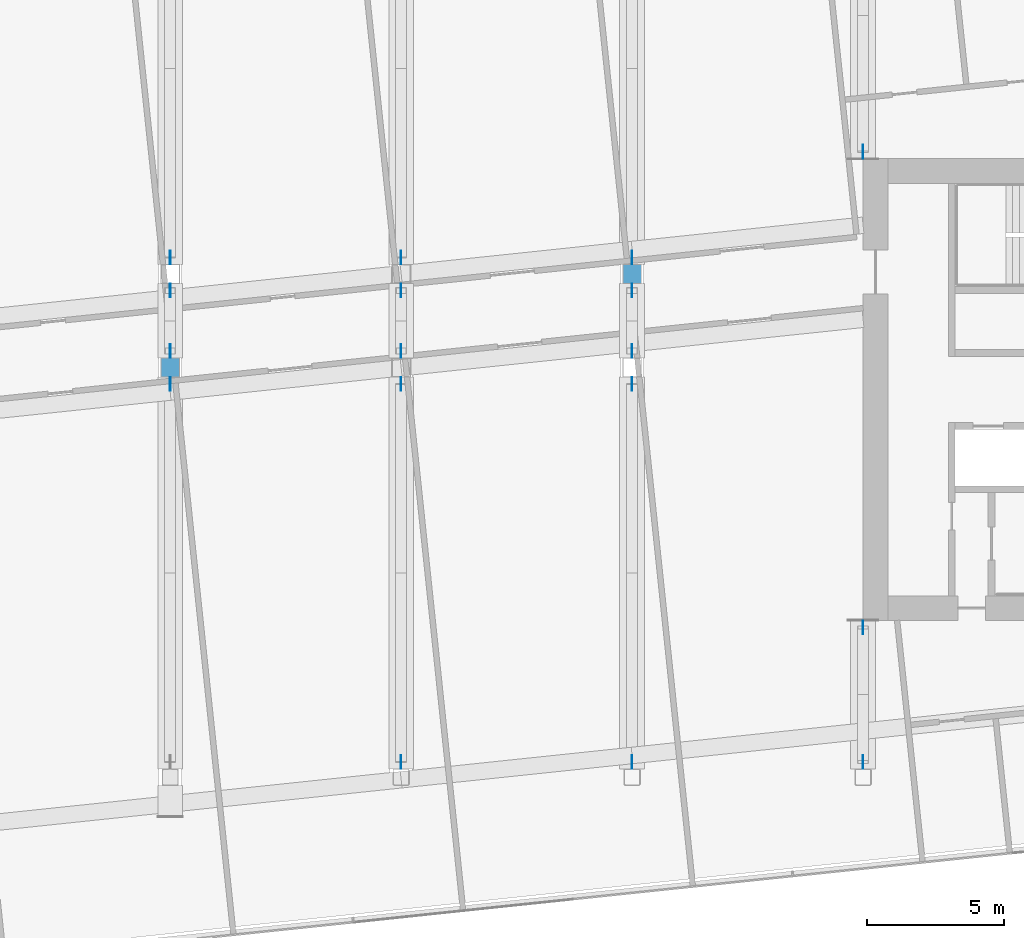
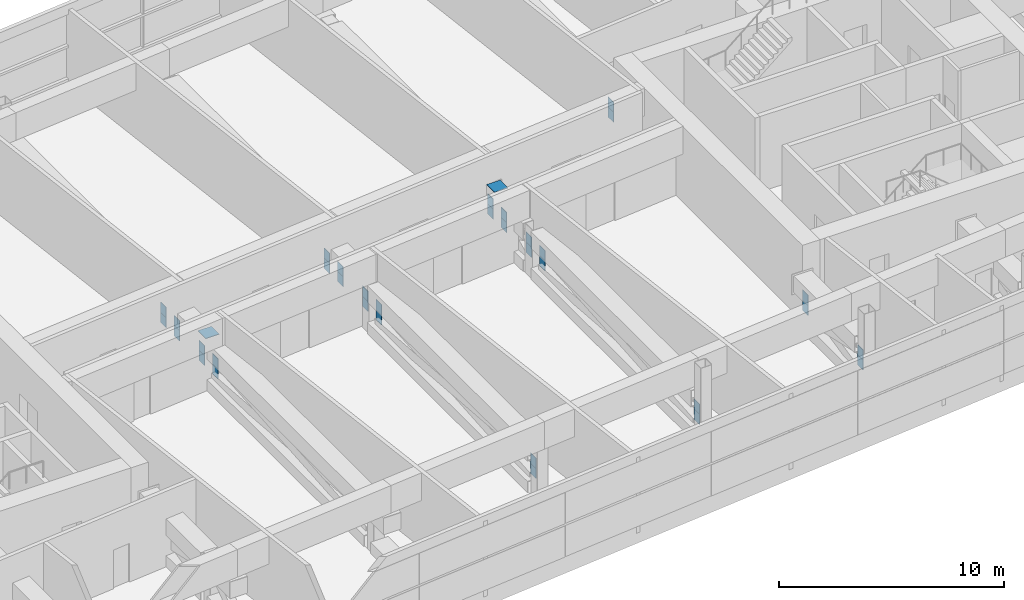
# One storey, part 25 of 33: 36 discrete accessories.
"""IFC4 building model written with IfcOpenShell, lengths in metres."""

import ifcopenshell
import ifcopenshell.guid

model = None  # the IFC model being written
_history = None  # IfcOwnerHistory: only IFC2X3 demands one
_inside = {}  # id of a spatial element -> (the spatial element, [elements in it])
_under = {}  # id of a project, library or spatial element -> (it, [spatial elements below it])
_declared = {}  # id of a project -> (the project, [libraries it declares])
_typed = {}  # id of a type object -> (the type object, [elements of that type])
_made_of = {}  # id of a material, layer set ... -> (it, [elements and type objects made of it])


def new_model(schema):
    """Start an empty IFC model of exactly this schema.

    Asked for "IFC4X3", IfcOpenShell would pick the latest addendum, in which some entities
    have other attributes; the version numbers below select the first issue.
    IFC2X3 requires an IfcOwnerHistory on every rooted entity: one is made here for all.
    """
    global model, _history
    if schema == "IFC4X3":
        model = ifcopenshell.file(schema_version=(4, 3, 0, 0))
    else:
        model = ifcopenshell.file(schema=schema)
    _inside.clear()
    _under.clear()
    _declared.clear()
    _typed.clear()
    _made_of.clear()
    _history = None
    if model.schema == "IFC2X3":
        org = make("IfcOrganization", Name="unknown")
        user = make(
            "IfcPersonAndOrganization",
            ThePerson=make("IfcPerson", FamilyName="unknown"),
            TheOrganization=org,
        )
        app = make(
            "IfcApplication",
            ApplicationDeveloper=org,
            Version="unknown",
            ApplicationFullName="unknown",
            ApplicationIdentifier="unknown",
        )
        _history = make(
            "IfcOwnerHistory",
            OwningUser=user,
            OwningApplication=app,
            ChangeAction="ADDED",
            CreationDate=0,
        )
    return model


def make(cls, **values):
    """One entity of the class cls with the attributes given. An attribute that is None is left unset."""
    return model.create_entity(
        cls, **{name: value for name, value in values.items() if value is not None}
    )


def rooted(cls, **values):
    """An entity with a GlobalId (a new one), such as an element, a storey or a relation."""
    return make(cls, GlobalId=ifcopenshell.guid.new(), OwnerHistory=_history, **values)


def si_unit(unit_type, name, prefix=None):
    """IfcSIUnit, for example si_unit("LENGTHUNIT", "METRE", prefix="MILLI")."""
    return make("IfcSIUnit", UnitType=unit_type, Prefix=prefix, Name=name)


def assignment(units):
    """IfcUnitAssignment: the units of a project."""
    return None if units is None else make("IfcUnitAssignment", Units=units)


def point(xyz):
    """IfcCartesianPoint."""
    return None if xyz is None else make("IfcCartesianPoint", Coordinates=xyz)


def direction(xyz):
    """IfcDirection."""
    return None if xyz is None else make("IfcDirection", DirectionRatios=xyz)


def frame(location, z_axis=None, x_axis=None):
    """IfcAxis2Placement3D, a coordinate frame: its origin and axes. An axis left out is left unset."""
    return make(
        "IfcAxis2Placement3D",
        Location=point(location),
        Axis=direction(z_axis),
        RefDirection=direction(x_axis),
    )


def frame_2d(location, x_axis=None):
    """IfcAxis2Placement2D, a coordinate frame in the plane: its origin and x axis."""
    return make(
        "IfcAxis2Placement2D", Location=point(location), RefDirection=direction(x_axis)
    )


def origin():
    """The frame at (0, 0, 0) with its axes left unset."""
    return frame((0.0, 0.0, 0.0))


def origin_2d():
    """The frame at (0, 0) in the plane with its x axis left unset."""
    return frame_2d((0.0, 0.0))


def place(relative_to, where):
    """IfcLocalPlacement: puts the frame where relative to a parent placement (None: the world)."""
    return make(
        "IfcLocalPlacement", PlacementRelTo=relative_to, RelativePlacement=where
    )


def context(
    kind, dimensions, precision=None, world=None, true_north=None, identifier=None
):
    """IfcGeometricRepresentationContext, for example the 3D "Model" context."""
    return make(
        "IfcGeometricRepresentationContext",
        ContextIdentifier=identifier,
        ContextType=kind,
        CoordinateSpaceDimension=dimensions,
        Precision=precision,
        WorldCoordinateSystem=world,
        TrueNorth=true_north,
    )


def subcontext(parent, identifier, kind, view, scale=None):
    """IfcGeometricRepresentationSubContext, for example "Body" below "Model"."""
    return make(
        "IfcGeometricRepresentationSubContext",
        ContextIdentifier=identifier,
        ContextType=kind,
        ParentContext=parent,
        TargetScale=scale,
        TargetView=view,
    )


def project(units=None, contexts=None):
    """IfcProject with its units and contexts."""
    return rooted(
        "IfcProject",
        Name="project",
        RepresentationContexts=contexts,
        UnitsInContext=assignment(units),
    )


def spatial(cls, under=None, at=None, **own):
    """A site, building, storey or space (cls), placed at a placement, below another one or the project."""
    s = rooted(cls, ObjectPlacement=at, **own)
    if under is not None:
        _under.setdefault(under.id(), (under, []))[1].append(s)
    return s


def profile(cls, at=None, kind="AREA", **sizes):
    """A parametric profile (cls). Its sizes go by their IFC names, for example OverallWidth=200.0."""
    return make(cls, ProfileType=kind, Position=at, **sizes)


def rectangle(**sizes):
    """IfcRectangleProfileDef."""
    return profile("IfcRectangleProfileDef", **sizes)


def extrude(swept, where, along, depth):
    """IfcExtrudedAreaSolid: the profile swept, set in the frame where, extruded along a direction by depth."""
    return make(
        "IfcExtrudedAreaSolid",
        SweptArea=swept,
        Position=where,
        ExtrudedDirection=direction(along),
        Depth=depth,
    )


def shape(context_of_items, identifier, shape_type, items):
    """IfcShapeRepresentation: the items that make up one representation, for example the "Body"."""
    return make(
        "IfcShapeRepresentation",
        ContextOfItems=context_of_items,
        RepresentationIdentifier=identifier,
        RepresentationType=shape_type,
        Items=items,
    )


def material(Name=None, Category=None):
    """IfcMaterial."""
    return make("IfcMaterial", Name=Name, Category=Category)


def material_profile(
    of_material, cross_section, Name=None, Category=None, Priority=None
):
    """IfcMaterialProfile: a cross section and its material."""
    return make(
        "IfcMaterialProfile",
        Name=Name,
        Material=of_material,
        Profile=cross_section,
        Priority=Priority,
        Category=Category,
    )


def profile_set(profiles, Name=None, composite=None):
    """IfcMaterialProfileSet."""
    return make(
        "IfcMaterialProfileSet",
        Name=Name,
        MaterialProfiles=profiles,
        CompositeProfile=composite,
    )


def made_of(thing, what):
    """Note that an element or type object is made of a material, layer set ...; save() writes the relation."""
    if what is not None:
        _made_of.setdefault(what.id(), (what, []))[1].append(thing)
    return thing


def type_object(cls, material=None, **own):
    """A type object (cls), such as IfcWallType, which elements share."""
    return made_of(rooted(cls, **own), material)


def element(
    cls,
    number,
    at=None,
    inside=None,
    cuts=None,
    type_object=None,
    material=None,
    context=None,
    identifier="Body",
    shape_type=None,
    held_by="IfcProductDefinitionShape",
    body=None,
    shapes=None,
    **own,
):
    """One element of the class cls, such as IfcWall. Its Tag is "e" and its number.

    at: its placement. inside: the storey or other place that contains it. cuts: it is an
    opening in that element (IfcRelVoidsElement). A single representation is given by context,
    identifier, shape_type and body (its items); several are given by shapes. held_by: the class
    of the entity that holds the representations. save() writes the other relations.
    """
    e = rooted(cls, Tag="e%d" % number, ObjectPlacement=at, **own)
    if body is not None:
        shapes = [shape(context, identifier, shape_type, body)]
    if shapes is not None:
        e.Representation = make(held_by, Representations=shapes)
    if inside is not None:
        _inside.setdefault(inside.id(), (inside, []))[1].append(e)
    if cuts is not None:
        rooted(
            "IfcRelVoidsElement", RelatingBuildingElement=cuts, RelatedOpeningElement=e
        )
    if type_object is not None:
        _typed.setdefault(type_object.id(), (type_object, []))[1].append(e)
    return made_of(e, material)


def aggregate(whole, parts):
    """IfcRelAggregates: a whole, such as a stair, and the parts it consists of."""
    return rooted("IfcRelAggregates", RelatingObject=whole, RelatedObjects=parts)


def save(model, path):
    """Write the relations noted so far, then the file.

    IfcRelAggregates (storeys below a building ...), IfcRelContainedInSpatialStructure (elements
    in a storey), IfcRelDefinesByType, IfcRelAssociatesMaterial and IfcRelDeclares: one each for
    every whole, place, type object, material and project.
    """
    for whole, parts in _under.values():
        aggregate(whole, parts)
    for where, things in _inside.values():
        rooted(
            "IfcRelContainedInSpatialStructure",
            RelatedElements=things,
            RelatingStructure=where,
        )
    for kind, things in _typed.values():
        rooted("IfcRelDefinesByType", RelatedObjects=things, RelatingType=kind)
    for what, things in _made_of.values():
        rooted("IfcRelAssociatesMaterial", RelatedObjects=things, RelatingMaterial=what)
    for by, libraries in _declared.values():
        rooted("IfcRelDeclares", RelatingContext=by, RelatedDefinitions=libraries)
    model.write(path)


model = new_model("IFC4")

# Units and contexts
model_context = context("Model", 3, precision=1e-05, world=origin(), true_north=direction((0.0, 1.0)))
body_context = subcontext(model_context, "Body", "Model", "MODEL_VIEW")
ifc_project = project(units=[si_unit("LENGTHUNIT", "METRE"), si_unit("AREAUNIT", "SQUARE_METRE"), si_unit("VOLUMEUNIT", "CUBIC_METRE"), si_unit("PLANEANGLEUNIT", "RADIAN"), si_unit("MASSUNIT", "GRAM", prefix="KILO")], contexts=[model_context])

# Site, building, storey
site_placement = place(None, origin())
site = spatial("IfcSite", under=ifc_project, at=site_placement, CompositionType="ELEMENT")
building_placement = place(site_placement, origin())
building = spatial("IfcBuilding", under=site, at=building_placement, Name="Hakoniwa Tower and Hamabe Station Hall", CompositionType="ELEMENT")
storey_placement = place(building_placement, frame((0.0, 0.0, 228.199951171875)))
storey = spatial("IfcBuildingStorey", under=building, at=storey_placement, Name="L65", CompositionType="ELEMENT", Elevation=228.199951171875)

# Discrete accessories
ifc_material_1 = material(Name="Steel SN490C", Category="steel")
ifc_material_profile_1 = material_profile(ifc_material_1, rectangle(XDim=0.699951171875, YDim=0.699951171875, at=origin_2d()), Name="END CAP PLATE BX-700x700x28")
ifc_profile_set_1 = profile_set([ifc_material_profile_1], Name="Steel SN490C")
discrete_accessory_type_1 = type_object("IfcDiscreteAccessoryType", Name="END CAP PLATE BX-700x700x28", PredefinedType="USERDEFINED", material=ifc_profile_set_1)
for number, where, z_axis, x_axis, name in (
    (1, (-8.39990234375, 0.800048828125, 2.60009765625), (0.0, 0.0, 1.0), (1.0, 0.0, 0.0), "End cap plate T4-09-P02"),
    (2, (8.39990234375, 4.199951171875, 2.60009765625), (0.0, 0.0, 1.0), (1.0, 0.0, 0.0), "End cap plate T4-11-P03"),
):
    element("IfcDiscreteAccessory", number, at=place(storey_placement, frame(where, z_axis=z_axis, x_axis=x_axis)), inside=storey, type_object=discrete_accessory_type_1, Name=name, ObjectType="END CAP PLATE", PredefinedType="USERDEFINED", context=body_context, shape_type="SweptSolid", body=[
        extrude(rectangle(XDim=0.699951171875, YDim=0.699951171875, at=origin_2d()), origin(), (0.0, 0.0, 1.0), 0.02490234375),
    ])
ifc_material_2 = material(Name="Steel SN490C", Category="steel")
ifc_material_profile_2 = material_profile(ifc_material_2, rectangle(XDim=0.5, YDim=0.550048828125, at=origin_2d()), Name="GUSSET PLATE BX-500x400x22")
ifc_profile_set_2 = profile_set([ifc_material_profile_2], Name="Steel SN490C")
discrete_accessory_type_2 = type_object("IfcDiscreteAccessoryType", Name="GUSSET PLATE BX-500x400x22", PredefinedType="USERDEFINED", material=ifc_profile_set_2)
for number, where, z_axis, x_axis, name in (
    (3, (-8.387451171875, 0.199951171875, 1.425048828125), (-1.0, 0.0, 0.0), (0.0, -1.0, 0.0), "Gusset plate T4-009-D01A"),
    (4, (-8.387451171875, 0.199951171875, 0.875), (-1.0, 0.0, 0.0), (0.0, -1.0, 0.0), "Gusset plate T4-009-D01B"),
    (5, (-8.387451171875, 1.39990234375, 0.875), (-1.0, 0.0, 0.0), (0.0, -1.0, 0.0), "Gusset plate T4-009-D02A"),
    (6, (-8.387451171875, 3.60009765625, 1.425048828125), (-1.0, 0.0, 0.0), (0.0, -1.0, 0.0), "Gusset plate T4-009-D02A"),
    (7, (-8.387451171875, 1.39990234375, 1.425048828125), (-1.0, 0.0, 0.0), (0.0, -1.0, 0.0), "Gusset plate T4-009-D02B"),
    (8, (-8.387451171875, 3.60009765625, 0.875), (-1.0, 0.0, 0.0), (0.0, -1.0, 0.0), "Gusset plate T4-009-D02B"),
    (9, (-8.387451171875, 4.800048828125, 0.875), (-1.0, 0.0, 0.0), (0.0, -1.0, 0.0), "Gusset plate T4-009-D03A"),
    (10, (-8.387451171875, 4.800048828125, 1.425048828125), (-1.0, 0.0, 0.0), (0.0, -1.0, 0.0), "Gusset plate T4-009-D03B"),
):
    element("IfcDiscreteAccessory", number, at=place(storey_placement, frame(where, z_axis=z_axis, x_axis=x_axis)), inside=storey, type_object=discrete_accessory_type_2, Name=name, ObjectType="GUSSET PLATE", PredefinedType="USERDEFINED", context=body_context, shape_type="SweptSolid", body=[
        extrude(rectangle(XDim=0.5, YDim=0.550048828125, at=origin_2d()), origin(), (0.0, 0.0, 1.0), 0.025146484375),
    ])
for number, where, z_axis, x_axis, name in (
    (11, (0.012451171875, -13.550048828125, 0.875), (-1.0, 0.0, 0.0), (0.0, -1.0, 0.0), "Gusset plate T4-010-D01A"),
    (12, (0.012451171875, 0.199951171875, 1.425048828125), (-1.0, 0.0, 0.0), (0.0, -1.0, 0.0), "Gusset plate T4-010-D01A"),
    (13, (0.012451171875, -13.550048828125, 1.425048828125), (-1.0, 0.0, 0.0), (0.0, -1.0, 0.0), "Gusset plate T4-010-D01B"),
    (14, (0.012451171875, 0.199951171875, 0.875), (-1.0, 0.0, 0.0), (0.0, -1.0, 0.0), "Gusset plate T4-010-D01B"),
    (15, (0.012451171875, 1.39990234375, 0.875), (-1.0, 0.0, 0.0), (0.0, -1.0, 0.0), "Gusset plate T4-010-D02A"),
    (16, (0.012451171875, 3.60009765625, 1.425048828125), (-1.0, 0.0, 0.0), (0.0, -1.0, 0.0), "Gusset plate T4-010-D02A"),
    (17, (0.012451171875, 1.39990234375, 1.425048828125), (-1.0, 0.0, 0.0), (0.0, -1.0, 0.0), "Gusset plate T4-010-D02B"),
    (18, (0.012451171875, 3.60009765625, 0.875), (-1.0, 0.0, 0.0), (0.0, -1.0, 0.0), "Gusset plate T4-010-D02B"),
    (19, (0.012451171875, 4.800048828125, 0.875), (-1.0, 0.0, 0.0), (0.0, -1.0, 0.0), "Gusset plate T4-010-D03A"),
    (20, (0.012451171875, 4.800048828125, 1.425048828125), (-1.0, 0.0, 0.0), (0.0, -1.0, 0.0), "Gusset plate T4-010-D03B"),
):
    element("IfcDiscreteAccessory", number, at=place(storey_placement, frame(where, z_axis=z_axis, x_axis=x_axis)), inside=storey, type_object=discrete_accessory_type_2, Name=name, ObjectType="GUSSET PLATE", PredefinedType="USERDEFINED", context=body_context, shape_type="SweptSolid", body=[
        extrude(rectangle(XDim=0.5, YDim=0.550048828125, at=origin_2d()), origin(), (0.0, 0.0, 1.0), 0.02490234375),
    ])
for number, where, z_axis, x_axis, name in (
    (21, (8.41259765625, -13.550048828125, 0.875), (-1.0, 0.0, 0.0), (0.0, -1.0, 0.0), "Gusset plate T4-011-D01A"),
    (22, (8.41259765625, 0.199951171875, 1.425048828125), (-1.0, 0.0, 0.0), (0.0, -1.0, 0.0), "Gusset plate T4-011-D01A"),
    (23, (8.41259765625, -13.550048828125, 1.425048828125), (-1.0, 0.0, 0.0), (0.0, -1.0, 0.0), "Gusset plate T4-011-D01B"),
    (24, (8.41259765625, 0.199951171875, 0.875), (-1.0, 0.0, 0.0), (0.0, -1.0, 0.0), "Gusset plate T4-011-D01B"),
    (25, (8.41259765625, 1.39990234375, 0.875), (-1.0, 0.0, 0.0), (0.0, -1.0, 0.0), "Gusset plate T4-011-D02A"),
    (26, (8.41259765625, 3.60009765625, 1.425048828125), (-1.0, 0.0, 0.0), (0.0, -1.0, 0.0), "Gusset plate T4-011-D02A"),
    (27, (8.41259765625, 1.39990234375, 1.425048828125), (-1.0, 0.0, 0.0), (0.0, -1.0, 0.0), "Gusset plate T4-011-D02B"),
    (28, (8.41259765625, 3.60009765625, 0.875), (-1.0, 0.0, 0.0), (0.0, -1.0, 0.0), "Gusset plate T4-011-D02B"),
    (29, (8.41259765625, 4.800048828125, 0.875), (-1.0, 0.0, 0.0), (0.0, -1.0, 0.0), "Gusset plate T4-011-D03A"),
    (30, (8.41259765625, 4.800048828125, 1.425048828125), (-1.0, 0.0, 0.0), (0.0, -1.0, 0.0), "Gusset plate T4-011-D03B"),
):
    element("IfcDiscreteAccessory", number, at=place(storey_placement, frame(where, z_axis=z_axis, x_axis=x_axis)), inside=storey, type_object=discrete_accessory_type_2, Name=name, ObjectType="GUSSET PLATE", PredefinedType="USERDEFINED", context=body_context, shape_type="SweptSolid", body=[
        extrude(rectangle(XDim=0.5, YDim=0.550048828125, at=origin_2d()), origin(), (0.0, 0.0, 1.0), 0.025146484375),
    ])
for number, where, z_axis, x_axis, name in (
    (31, (16.8125, -13.550048828125, 0.875), (-1.0, 0.0, 0.0), (0.0, -1.0, 0.0), "Gusset plate T4-012-D01A"),
    (32, (16.8125, -8.64990234375, 1.425048828125), (-1.0, 0.0, 0.0), (0.0, -1.0, 0.0), "Gusset plate T4-012-D01A"),
    (33, (16.8125, -13.550048828125, 1.425048828125), (-1.0, 0.0, 0.0), (0.0, -1.0, 0.0), "Gusset plate T4-012-D01B"),
    (34, (16.8125, -8.64990234375, 0.875), (-1.0, 0.0, 0.0), (0.0, -1.0, 0.0), "Gusset plate T4-012-D01B"),
    (35, (16.8125, 8.64990234375, 0.875), (-1.0, 0.0, 0.0), (0.0, -1.0, 0.0), "Gusset plate T4-013-D01A"),
    (36, (16.8125, 8.64990234375, 1.425048828125), (-1.0, 0.0, 0.0), (0.0, -1.0, 0.0), "Gusset plate T4-013-D01B"),
):
    element("IfcDiscreteAccessory", number, at=place(storey_placement, frame(where, z_axis=z_axis, x_axis=x_axis)), inside=storey, type_object=discrete_accessory_type_2, Name=name, ObjectType="GUSSET PLATE", PredefinedType="USERDEFINED", context=body_context, shape_type="SweptSolid", body=[
        extrude(rectangle(XDim=0.5, YDim=0.550048828125, at=origin_2d()), origin(), (0.0, 0.0, 1.0), 0.02490234375),
    ])

save(model, "model.ifc")
